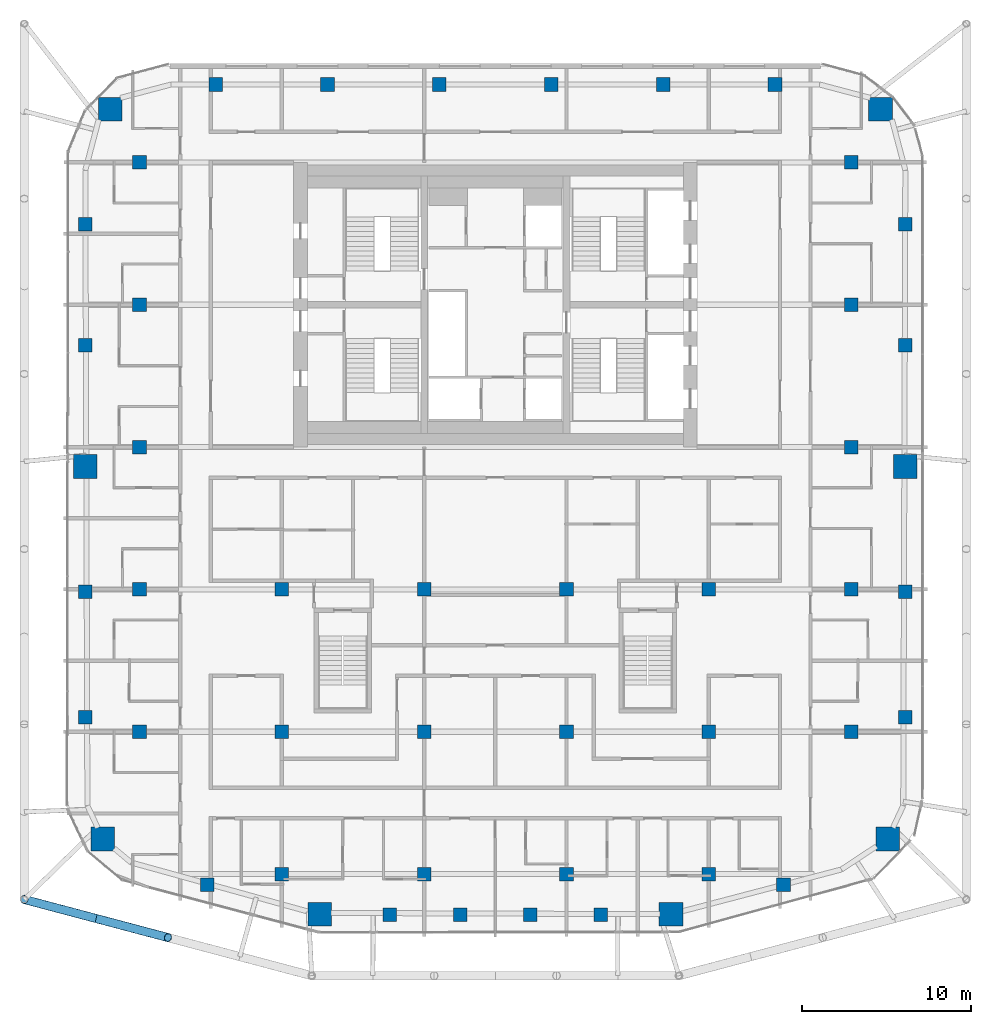
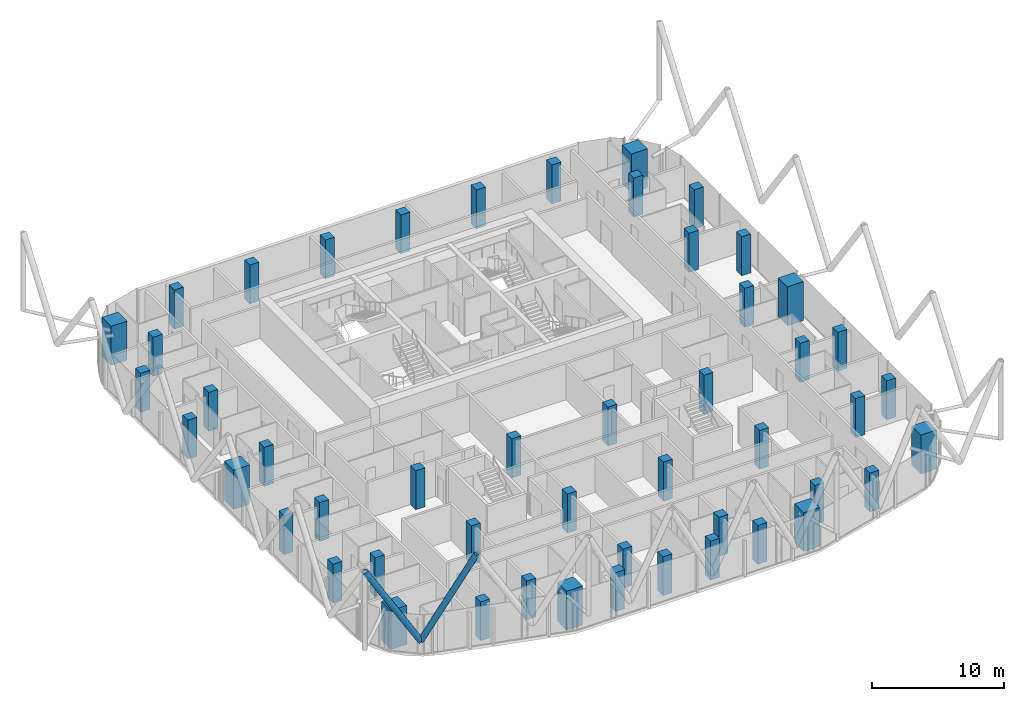
# One storey, part 1 of 31: 50 columns, 2 members.
"""IFC4 building model written with IfcOpenShell, lengths in metres."""

from ifc_helpers import new_model, si_unit, direction, frame, origin, origin_2d, place, context, subcontext, project, spatial, rectangle, hollow_circle, extrude, material, material_profile, profile_set, type_object, element, save


model = new_model("IFC4")

# Units and contexts
model_context = context("Model", 3, precision=1e-05, world=origin(), true_north=direction((0.0, 1.0)))
body_context = subcontext(model_context, "Body", "Model", "MODEL_VIEW")
ifc_project = project(units=[si_unit("LENGTHUNIT", "METRE"), si_unit("AREAUNIT", "SQUARE_METRE"), si_unit("VOLUMEUNIT", "CUBIC_METRE"), si_unit("PLANEANGLEUNIT", "RADIAN"), si_unit("MASSUNIT", "GRAM", prefix="KILO")], contexts=[model_context])

# Site, building, storey
site_placement = place(None, origin())
site = spatial("IfcSite", under=ifc_project, at=site_placement, CompositionType="ELEMENT")
building_placement = place(site_placement, origin())
building = spatial("IfcBuilding", under=site, at=building_placement, Name="Marenta Gate Hotel Tower", CompositionType="ELEMENT")
storey_placement = place(building_placement, frame((0.0, 0.0, 220.10009765625)))
storey = spatial("IfcBuildingStorey", under=building, at=storey_placement, Name="L51", CompositionType="ELEMENT", Elevation=220.10009765625)

# Columns
ifc_material_1 = material(Name="Concrete C60", Category="concrete")
ifc_material_profile_1 = material_profile(ifc_material_1, rectangle(XDim=0.800048828125, YDim=0.800048828125, at=origin_2d()), Name="800 x 800")
ifc_profile_set_1 = profile_set([ifc_material_profile_1], Name="Concrete C60")
column_type_1 = type_object("IfcColumnType", Name="Edge column 800 x 800 C60", PredefinedType="COLUMN", material=ifc_profile_set_1)
for number, where, z_axis, x_axis, name in (
    (1, (-24.199951171875, -15.951904296875, 0.0), (0.0, 0.0, 1.0), (1.0, 0.0, 0.0), "L51-EC-SW-W-1"),
    (2, (-24.199951171875, -8.55078125, 0.0), (0.0, 0.0, 1.0), (1.0, 0.0, 0.0), "L51-EC-SW-W-2"),
    (3, (-24.199951171875, 6.003173828125, 0.0), (0.0, 0.0, 1.0), (1.0, 0.0, 0.0), "L51-EC-W-NW-1"),
    (4, (-24.199951171875, 13.156494140625, 0.0), (0.0, 0.0, 1.0), (1.0, 0.0, 0.0), "L51-EC-W-NW-2"),
    (5, (-16.5068359375, 21.39990234375, 0.0), (0.0, 0.0, 1.0), (1.0, 0.0, 0.0), "L51-EC-NW-NE-1"),
    (6, (-9.904052734375, 21.39990234375, 0.0), (0.0, 0.0, 1.0), (1.0, 0.0, 0.0), "L51-EC-NW-NE-2"),
    (7, (-3.301513671875, 21.39990234375, 0.0), (0.0, 0.0, 1.0), (1.0, 0.0, 0.0), "L51-EC-NW-NE-3"),
    (8, (3.301513671875, 21.39990234375, 0.0), (0.0, 0.0, 1.0), (1.0, 0.0, 0.0), "L51-EC-NW-NE-4"),
    (9, (9.904052734375, 21.39990234375, 0.0), (0.0, 0.0, 1.0), (1.0, 0.0, 0.0), "L51-EC-NW-NE-5"),
    (10, (16.5068359375, 21.39990234375, 0.0), (0.0, 0.0, 1.0), (1.0, 0.0, 0.0), "L51-EC-NW-NE-6"),
    (11, (24.199951171875, 13.156494140625, 0.0), (0.0, 0.0, 1.0), (1.0, 0.0, 0.0), "L51-EC-NE-E-1"),
    (12, (24.199951171875, 6.003173828125, 0.0), (0.0, 0.0, 1.0), (1.0, 0.0, 0.0), "L51-EC-NE-E-2"),
    (13, (24.199951171875, -8.55078125, 0.0), (0.0, 0.0, 1.0), (1.0, 0.0, 0.0), "L51-EC-E-SE-1"),
    (14, (24.199951171875, -15.951904296875, 0.0), (0.0, 0.0, 1.0), (1.0, 0.0, 0.0), "L51-EC-E-SE-2"),
    (15, (17.0068359375, -25.839111328125, 0.0), (0.0, 0.0, 1.0), (1.0, 0.0, 0.0), "L51-EC-SE-SKE-1"),
    (16, (6.22021484375, -27.60009765625, 0.0), (0.0, 0.0, 1.0), (1.0, 0.0, 0.0), "L51-EC-SKE-SKW-1"),
    (17, (2.073486328125, -27.60009765625, 0.0), (0.0, 0.0, 1.0), (1.0, 0.0, 0.0), "L51-EC-SKE-SKW-2"),
    (18, (-2.073486328125, -27.60009765625, 0.0), (0.0, 0.0, 1.0), (1.0, 0.0, 0.0), "L51-EC-SKE-SKW-3"),
    (19, (-6.22021484375, -27.60009765625, 0.0), (0.0, 0.0, 1.0), (1.0, 0.0, 0.0), "L51-EC-SKE-SKW-4"),
    (20, (-17.0068359375, -25.839111328125, 0.0), (0.0, 0.0, 1.0), (1.0, 0.0, 0.0), "L51-EC-SKW-SW-1"),
):
    element("IfcColumn", number, at=place(storey_placement, frame(where, z_axis=z_axis, x_axis=x_axis)), inside=storey, type_object=column_type_1, Name=name, PredefinedType="COLUMN", context=body_context, shape_type="SweptSolid", body=[
        extrude(rectangle(XDim=0.800048828125, YDim=0.800048828125, at=origin_2d()), origin(), (0.0, 0.0, 1.0), 3.599853515625),
    ])
ifc_material_2 = material(Name="Concrete C60", Category="concrete")
ifc_material_profile_2 = material_profile(ifc_material_2, rectangle(XDim=0.800048828125, YDim=0.800048828125, at=origin_2d()), Name="800 x 800")
ifc_profile_set_2 = profile_set([ifc_material_profile_2], Name="Concrete C60")
column_type_2 = type_object("IfcColumnType", Name="Interior column 800 x 800 C60", PredefinedType="COLUMN", material=ifc_profile_set_2)
for number, where, z_axis, x_axis, name in (
    (21, (-21.0, -16.800048828125, 0.0), (0.0, 0.0, 1.0), (1.0, 0.0, 0.0), "L51-IC-4D"),
    (22, (-21.0, -8.39990234375, 0.0), (0.0, 0.0, 1.0), (1.0, 0.0, 0.0), "L51-IC-4E"),
    (23, (-21.0, 0.0, 0.0), (0.0, 0.0, 1.0), (1.0, 0.0, 0.0), "L51-IC-4F"),
    (24, (-21.0, 8.39990234375, 0.0), (0.0, 0.0, 1.0), (1.0, 0.0, 0.0), "L51-IC-4G"),
    (25, (-21.0, 16.800048828125, 0.0), (0.0, 0.0, 1.0), (1.0, 0.0, 0.0), "L51-IC-4H"),
    (26, (-12.60009765625, -25.199951171875, 0.0), (0.0, 0.0, 1.0), (1.0, 0.0, 0.0), "L51-IC-5C"),
    (27, (-12.60009765625, -16.800048828125, 0.0), (0.0, 0.0, 1.0), (1.0, 0.0, 0.0), "L51-IC-5D"),
    (28, (-12.60009765625, -8.39990234375, 0.0), (0.0, 0.0, 1.0), (1.0, 0.0, 0.0), "L51-IC-5E"),
    (29, (-4.199951171875, -25.199951171875, 0.0), (0.0, 0.0, 1.0), (1.0, 0.0, 0.0), "L51-IC-6C"),
    (30, (-4.199951171875, -16.800048828125, 0.0), (0.0, 0.0, 1.0), (1.0, 0.0, 0.0), "L51-IC-6D"),
    (31, (-4.199951171875, -8.39990234375, 0.0), (0.0, 0.0, 1.0), (1.0, 0.0, 0.0), "L51-IC-6E"),
    (32, (4.199951171875, -25.199951171875, 0.0), (0.0, 0.0, 1.0), (1.0, 0.0, 0.0), "L51-IC-7C"),
    (33, (4.199951171875, -16.800048828125, 0.0), (0.0, 0.0, 1.0), (1.0, 0.0, 0.0), "L51-IC-7D"),
    (34, (4.199951171875, -8.39990234375, 0.0), (0.0, 0.0, 1.0), (1.0, 0.0, 0.0), "L51-IC-7E"),
    (35, (12.60009765625, -25.199951171875, 0.0), (0.0, 0.0, 1.0), (1.0, 0.0, 0.0), "L51-IC-8C"),
    (36, (12.60009765625, -16.800048828125, 0.0), (0.0, 0.0, 1.0), (1.0, 0.0, 0.0), "L51-IC-8D"),
    (37, (12.60009765625, -8.39990234375, 0.0), (0.0, 0.0, 1.0), (1.0, 0.0, 0.0), "L51-IC-8E"),
    (38, (21.0, -16.800048828125, 0.0), (0.0, 0.0, 1.0), (1.0, 0.0, 0.0), "L51-IC-9D"),
    (39, (21.0, -8.39990234375, 0.0), (0.0, 0.0, 1.0), (1.0, 0.0, 0.0), "L51-IC-9E"),
    (40, (21.0, 0.0, 0.0), (0.0, 0.0, 1.0), (1.0, 0.0, 0.0), "L51-IC-9F"),
    (41, (21.0, 8.39990234375, 0.0), (0.0, 0.0, 1.0), (1.0, 0.0, 0.0), "L51-IC-9G"),
    (42, (21.0, 16.800048828125, 0.0), (0.0, 0.0, 1.0), (1.0, 0.0, 0.0), "L51-IC-9H"),
):
    element("IfcColumn", number, at=place(storey_placement, frame(where, z_axis=z_axis, x_axis=x_axis)), inside=storey, type_object=column_type_2, Name=name, PredefinedType="COLUMN", context=body_context, shape_type="SweptSolid", body=[
        extrude(rectangle(XDim=0.800048828125, YDim=0.800048828125, at=origin_2d()), origin(), (0.0, 0.0, 1.0), 3.599853515625),
    ])
ifc_material_3 = material(Name="Concrete C60", Category="concrete")
ifc_material_profile_3 = material_profile(ifc_material_3, rectangle(XDim=1.39990234375, YDim=1.39990234375, at=origin_2d()), Name="1400 x 1400")
ifc_profile_set_3 = profile_set([ifc_material_profile_3], Name="Concrete C60")
column_type_3 = type_object("IfcColumnType", Name="Mega column 1400 x 1400 C60", PredefinedType="COLUMN", material=ifc_profile_set_3)
for number, where, z_axis, x_axis, name in (
    (43, (-23.1630859375, -23.133056640625, 0.0), (0.0, 0.0, 1.0), (1.0, 0.0, 0.0), "L51-MC-SW"),
    (44, (-10.3662109375, -27.57470703125, 0.0), (0.0, 0.0, 1.0), (1.0, 0.0, 0.0), "L51-MC-SKW"),
    (45, (10.3662109375, -27.57470703125, 0.0), (0.0, 0.0, 1.0), (1.0, 0.0, 0.0), "L51-MC-SKE"),
    (46, (23.1630859375, -23.133056640625, 0.0), (0.0, 0.0, 1.0), (1.0, 0.0, 0.0), "L51-MC-SE"),
    (47, (24.199951171875, -1.14990234375, 0.0), (0.0, 0.0, 1.0), (1.0, 0.0, 0.0), "L51-MC-E"),
    (48, (22.735595703125, 19.935546875, 0.0), (0.0, 0.0, 1.0), (1.0, 0.0, 0.0), "L51-MC-NE"),
    (49, (-22.735595703125, 19.935546875, 0.0), (0.0, 0.0, 1.0), (1.0, 0.0, 0.0), "L51-MC-NW"),
    (50, (-24.199951171875, -1.14990234375, 0.0), (0.0, 0.0, 1.0), (1.0, 0.0, 0.0), "L51-MC-W"),
):
    element("IfcColumn", number, at=place(storey_placement, frame(where, z_axis=z_axis, x_axis=x_axis)), inside=storey, type_object=column_type_3, Name=name, PredefinedType="COLUMN", context=body_context, shape_type="SweptSolid", body=[
        extrude(rectangle(XDim=1.39990234375, YDim=1.39990234375, at=origin_2d()), origin(), (0.0, 0.0, 1.0), 3.599853515625),
    ])

# Members
ifc_material_4 = material(Name="Steel S355J2W", Category="steel")
ifc_material_profile_4 = material_profile(ifc_material_4, hollow_circle(Radius=0.25390625, WallThickness=0.02490234375, at=origin_2d()), Name="CHS 508x25")
ifc_profile_set_4 = profile_set([ifc_material_profile_4], Name="Steel S355J2W")
member_type = type_object("IfcMemberType", Name="Diagrid diagonal Z3 CHS 508x25", PredefinedType="BRACE", material=ifc_profile_set_4)
for number, where, z_axis, x_axis, name in (
    (51, (-23.559814453125, -27.8251953125, 3.139892578125), (0.502924018666, -0.133433548941, 0.853968921838), (0.256443187528, 0.96655930577, 0.0), "L51-DG-23"),
    (52, (-23.559814453125, -27.8251953125, 3.139892578125), (-0.502924018666, 0.133433548941, 0.853968921838), (-0.256443187528, -0.96655930577, 0.0), "L51-DG-24"),
):
    element("IfcMember", number, at=place(storey_placement, frame(where, z_axis=z_axis, x_axis=x_axis)), inside=storey, type_object=member_type, Name=name, PredefinedType="BRACE", context=body_context, shape_type="SweptSolid", body=[
        extrude(hollow_circle(Radius=0.25390625, WallThickness=0.02490234375, at=origin_2d()), origin(), (0.0, 0.0, 1.0), 8.43115234375),
    ])

save(model, "model.ifc")
